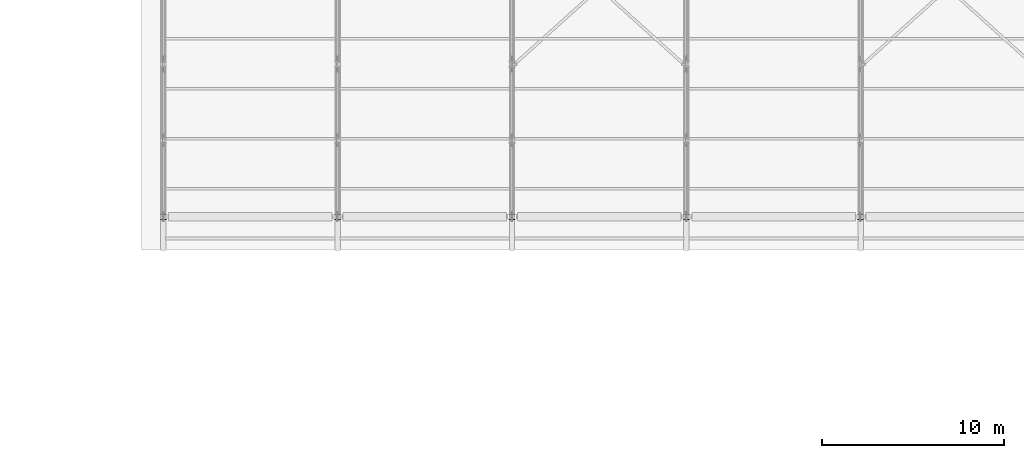
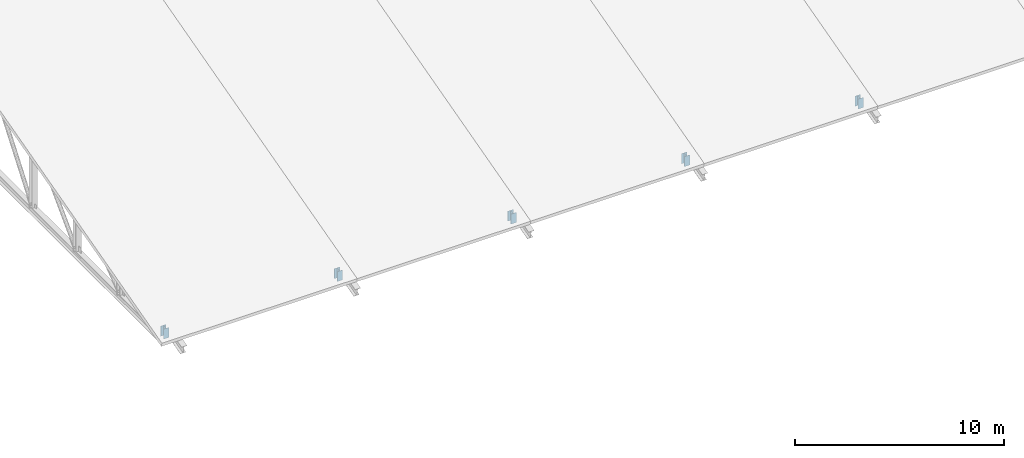
# One storey, part 16 of 37: 5 members.
"""IFC4 building model written with IfcOpenShell, lengths in metres."""

from ifc_helpers import new_model, si_unit, direction, frame, origin, origin_2d, place, context, subcontext, project, spatial, i_section, extrude, material, material_profile, profile_set, type_object, element, save


model = new_model("IFC4")

# Units and contexts
model_context = context("Model", 3, precision=1e-05, world=origin(), true_north=direction((0.0, 1.0)))
body_context = subcontext(model_context, "Body", "Model", "MODEL_VIEW")
ifc_project = project(units=[si_unit("LENGTHUNIT", "METRE"), si_unit("AREAUNIT", "SQUARE_METRE"), si_unit("VOLUMEUNIT", "CUBIC_METRE"), si_unit("PLANEANGLEUNIT", "RADIAN"), si_unit("MASSUNIT", "GRAM", prefix="KILO")], contexts=[model_context])

# Site, building, storey
site_placement = place(None, origin())
site = spatial("IfcSite", under=ifc_project, at=site_placement, CompositionType="ELEMENT")
building_placement = place(site_placement, origin())
building = spatial("IfcBuilding", under=site, at=building_placement, Name="Shalvenor Court Art Gallery", CompositionType="ELEMENT")
storey_placement = place(building_placement, frame((0.0, 0.0, 22.199951171875)))
storey = spatial("IfcBuildingStorey", under=building, at=storey_placement, Name="L04", CompositionType="ELEMENT", Elevation=22.199951171875)

# Members
ifc_material = material(Name="Steel S355", Category="steel")
ifc_material_profile = material_profile(ifc_material, i_section(OverallWidth=0.300048828125, OverallDepth=0.300048828125, WebThickness=0.010986328125, FlangeThickness=0.01904296875, at=origin_2d()), Name="HEB 300")
ifc_profile_set = profile_set([ifc_material_profile], Name="Steel S355")
member_type = type_object("IfcMemberType", Name="TM-V2", PredefinedType="STRUT", material=ifc_profile_set)
for number, where, z_axis, x_axis, name in (
    (1, (57.60009765625, 97.199951171875, -1.1298828125), (0.0, 0.0, 1.0), (1.0, 0.0, 0.0), "TR-V2-01 Roof Truss Vertical 1"),
    (2, (67.199951171875, 97.199951171875, -1.1298828125), (0.0, 0.0, 1.0), (1.0, 0.0, 0.0), "TR-V2-02 Roof Truss Vertical 1"),
    (3, (76.800048828125, 97.199951171875, -1.1298828125), (0.0, 0.0, 1.0), (1.0, 0.0, 0.0), "TR-V2-03 Roof Truss Vertical 1"),
    (4, (86.39990234375, 97.199951171875, -1.1298828125), (0.0, 0.0, 1.0), (1.0, 0.0, 0.0), "TR-V2-04 Roof Truss Vertical 1"),
    (5, (96.0, 97.199951171875, -1.1298828125), (0.0, 0.0, 1.0), (1.0, 0.0, 0.0), "TR-V2-05 Roof Truss Vertical 1"),
):
    element("IfcMember", number, at=place(storey_placement, frame(where, z_axis=z_axis, x_axis=x_axis)), inside=storey, type_object=member_type, Name=name, PredefinedType="STRUT", context=body_context, shape_type="SweptSolid", body=[
        extrude(i_section(OverallWidth=0.300048828125, OverallDepth=0.300048828125, WebThickness=0.010986328125, FlangeThickness=0.01904296875, at=origin_2d()), origin(), (0.0, 0.0, 1.0), 0.584228515625),
    ])

save(model, "model.ifc")
